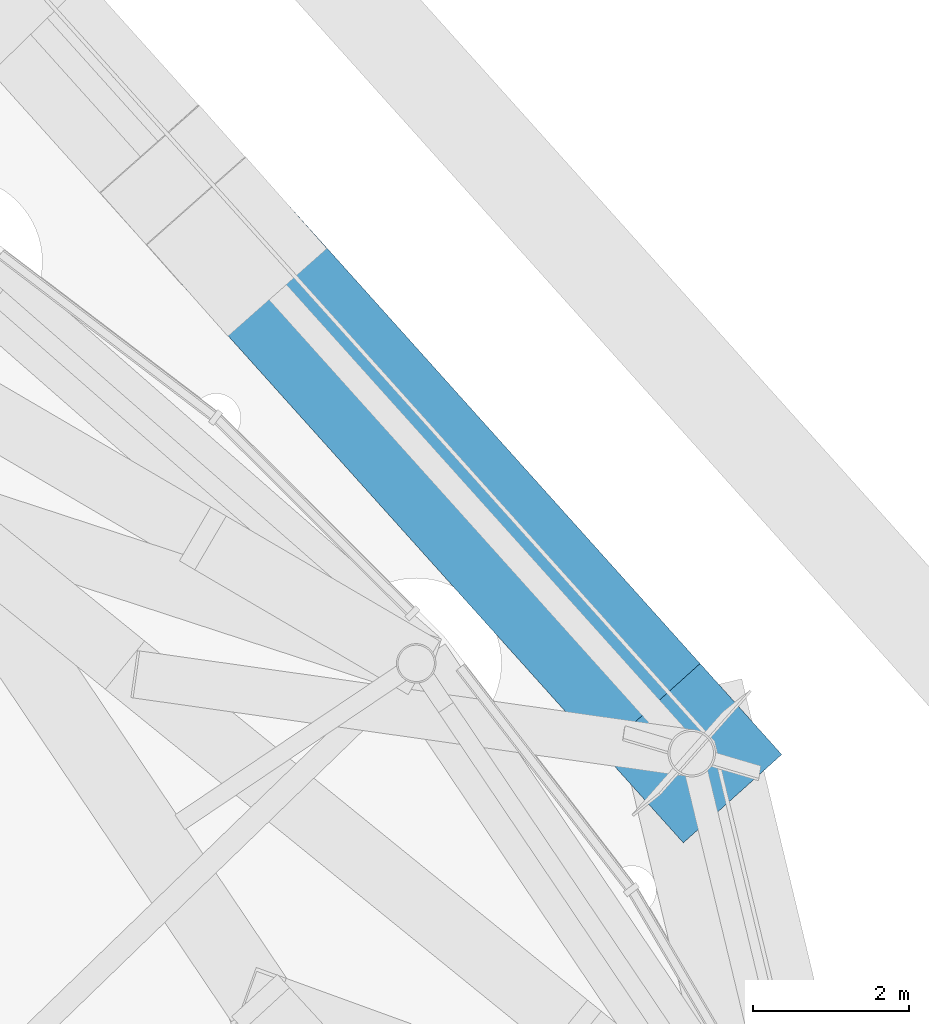
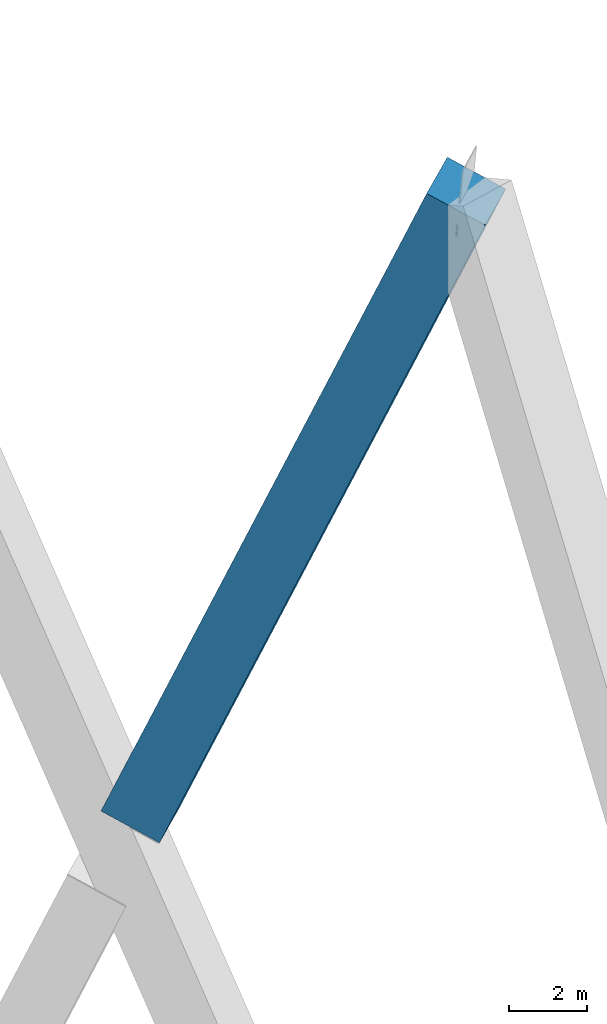
# One storey, part 22 of 51: 1 member.
"""IFC4 building model written with IfcOpenShell, lengths in metres."""

import ifcopenshell
import ifcopenshell.guid

model = None  # the IFC model being written
_history = None  # IfcOwnerHistory: only IFC2X3 demands one
_inside = {}  # id of a spatial element -> (the spatial element, [elements in it])
_under = {}  # id of a project, library or spatial element -> (it, [spatial elements below it])
_declared = {}  # id of a project -> (the project, [libraries it declares])
_typed = {}  # id of a type object -> (the type object, [elements of that type])
_made_of = {}  # id of a material, layer set ... -> (it, [elements and type objects made of it])


def new_model(schema):
    """Start an empty IFC model of exactly this schema.

    Asked for "IFC4X3", IfcOpenShell would pick the latest addendum, in which some entities
    have other attributes; the version numbers below select the first issue.
    IFC2X3 requires an IfcOwnerHistory on every rooted entity: one is made here for all.
    """
    global model, _history
    if schema == "IFC4X3":
        model = ifcopenshell.file(schema_version=(4, 3, 0, 0))
    else:
        model = ifcopenshell.file(schema=schema)
    _inside.clear()
    _under.clear()
    _declared.clear()
    _typed.clear()
    _made_of.clear()
    _history = None
    if model.schema == "IFC2X3":
        org = make("IfcOrganization", Name="unknown")
        user = make(
            "IfcPersonAndOrganization",
            ThePerson=make("IfcPerson", FamilyName="unknown"),
            TheOrganization=org,
        )
        app = make(
            "IfcApplication",
            ApplicationDeveloper=org,
            Version="unknown",
            ApplicationFullName="unknown",
            ApplicationIdentifier="unknown",
        )
        _history = make(
            "IfcOwnerHistory",
            OwningUser=user,
            OwningApplication=app,
            ChangeAction="ADDED",
            CreationDate=0,
        )
    return model


def make(cls, **values):
    """One entity of the class cls with the attributes given. An attribute that is None is left unset."""
    return model.create_entity(
        cls, **{name: value for name, value in values.items() if value is not None}
    )


def rooted(cls, **values):
    """An entity with a GlobalId (a new one), such as an element, a storey or a relation."""
    return make(cls, GlobalId=ifcopenshell.guid.new(), OwnerHistory=_history, **values)


def si_unit(unit_type, name, prefix=None):
    """IfcSIUnit, for example si_unit("LENGTHUNIT", "METRE", prefix="MILLI")."""
    return make("IfcSIUnit", UnitType=unit_type, Prefix=prefix, Name=name)


def assignment(units):
    """IfcUnitAssignment: the units of a project."""
    return None if units is None else make("IfcUnitAssignment", Units=units)


def point(xyz):
    """IfcCartesianPoint."""
    return None if xyz is None else make("IfcCartesianPoint", Coordinates=xyz)


def direction(xyz):
    """IfcDirection."""
    return None if xyz is None else make("IfcDirection", DirectionRatios=xyz)


def frame(location, z_axis=None, x_axis=None):
    """IfcAxis2Placement3D, a coordinate frame: its origin and axes. An axis left out is left unset."""
    return make(
        "IfcAxis2Placement3D",
        Location=point(location),
        Axis=direction(z_axis),
        RefDirection=direction(x_axis),
    )


def frame_2d(location, x_axis=None):
    """IfcAxis2Placement2D, a coordinate frame in the plane: its origin and x axis."""
    return make(
        "IfcAxis2Placement2D", Location=point(location), RefDirection=direction(x_axis)
    )


def origin():
    """The frame at (0, 0, 0) with its axes left unset."""
    return frame((0.0, 0.0, 0.0))


def origin_2d():
    """The frame at (0, 0) in the plane with its x axis left unset."""
    return frame_2d((0.0, 0.0))


def place(relative_to, where):
    """IfcLocalPlacement: puts the frame where relative to a parent placement (None: the world)."""
    return make(
        "IfcLocalPlacement", PlacementRelTo=relative_to, RelativePlacement=where
    )


def context(
    kind, dimensions, precision=None, world=None, true_north=None, identifier=None
):
    """IfcGeometricRepresentationContext, for example the 3D "Model" context."""
    return make(
        "IfcGeometricRepresentationContext",
        ContextIdentifier=identifier,
        ContextType=kind,
        CoordinateSpaceDimension=dimensions,
        Precision=precision,
        WorldCoordinateSystem=world,
        TrueNorth=true_north,
    )


def subcontext(parent, identifier, kind, view, scale=None):
    """IfcGeometricRepresentationSubContext, for example "Body" below "Model"."""
    return make(
        "IfcGeometricRepresentationSubContext",
        ContextIdentifier=identifier,
        ContextType=kind,
        ParentContext=parent,
        TargetScale=scale,
        TargetView=view,
    )


def project(units=None, contexts=None):
    """IfcProject with its units and contexts."""
    return rooted(
        "IfcProject",
        Name="project",
        RepresentationContexts=contexts,
        UnitsInContext=assignment(units),
    )


def spatial(cls, under=None, at=None, **own):
    """A site, building, storey or space (cls), placed at a placement, below another one or the project."""
    s = rooted(cls, ObjectPlacement=at, **own)
    if under is not None:
        _under.setdefault(under.id(), (under, []))[1].append(s)
    return s


def profile(cls, at=None, kind="AREA", **sizes):
    """A parametric profile (cls). Its sizes go by their IFC names, for example OverallWidth=200.0."""
    return make(cls, ProfileType=kind, Position=at, **sizes)


def rectangle(**sizes):
    """IfcRectangleProfileDef."""
    return profile("IfcRectangleProfileDef", **sizes)


def extrude(swept, where, along, depth):
    """IfcExtrudedAreaSolid: the profile swept, set in the frame where, extruded along a direction by depth."""
    return make(
        "IfcExtrudedAreaSolid",
        SweptArea=swept,
        Position=where,
        ExtrudedDirection=direction(along),
        Depth=depth,
    )


def shape(context_of_items, identifier, shape_type, items):
    """IfcShapeRepresentation: the items that make up one representation, for example the "Body"."""
    return make(
        "IfcShapeRepresentation",
        ContextOfItems=context_of_items,
        RepresentationIdentifier=identifier,
        RepresentationType=shape_type,
        Items=items,
    )


def material(Name=None, Category=None):
    """IfcMaterial."""
    return make("IfcMaterial", Name=Name, Category=Category)


def material_profile(
    of_material, cross_section, Name=None, Category=None, Priority=None
):
    """IfcMaterialProfile: a cross section and its material."""
    return make(
        "IfcMaterialProfile",
        Name=Name,
        Material=of_material,
        Profile=cross_section,
        Priority=Priority,
        Category=Category,
    )


def profile_set(profiles, Name=None, composite=None):
    """IfcMaterialProfileSet."""
    return make(
        "IfcMaterialProfileSet",
        Name=Name,
        MaterialProfiles=profiles,
        CompositeProfile=composite,
    )


def made_of(thing, what):
    """Note that an element or type object is made of a material, layer set ...; save() writes the relation."""
    if what is not None:
        _made_of.setdefault(what.id(), (what, []))[1].append(thing)
    return thing


def type_object(cls, material=None, **own):
    """A type object (cls), such as IfcWallType, which elements share."""
    return made_of(rooted(cls, **own), material)


def element(
    cls,
    number,
    at=None,
    inside=None,
    cuts=None,
    type_object=None,
    material=None,
    context=None,
    identifier="Body",
    shape_type=None,
    held_by="IfcProductDefinitionShape",
    body=None,
    shapes=None,
    **own,
):
    """One element of the class cls, such as IfcWall. Its Tag is "e" and its number.

    at: its placement. inside: the storey or other place that contains it. cuts: it is an
    opening in that element (IfcRelVoidsElement). A single representation is given by context,
    identifier, shape_type and body (its items); several are given by shapes. held_by: the class
    of the entity that holds the representations. save() writes the other relations.
    """
    e = rooted(cls, Tag="e%d" % number, ObjectPlacement=at, **own)
    if body is not None:
        shapes = [shape(context, identifier, shape_type, body)]
    if shapes is not None:
        e.Representation = make(held_by, Representations=shapes)
    if inside is not None:
        _inside.setdefault(inside.id(), (inside, []))[1].append(e)
    if cuts is not None:
        rooted(
            "IfcRelVoidsElement", RelatingBuildingElement=cuts, RelatedOpeningElement=e
        )
    if type_object is not None:
        _typed.setdefault(type_object.id(), (type_object, []))[1].append(e)
    return made_of(e, material)


def aggregate(whole, parts):
    """IfcRelAggregates: a whole, such as a stair, and the parts it consists of."""
    return rooted("IfcRelAggregates", RelatingObject=whole, RelatedObjects=parts)


def save(model, path):
    """Write the relations noted so far, then the file.

    IfcRelAggregates (storeys below a building ...), IfcRelContainedInSpatialStructure (elements
    in a storey), IfcRelDefinesByType, IfcRelAssociatesMaterial and IfcRelDeclares: one each for
    every whole, place, type object, material and project.
    """
    for whole, parts in _under.values():
        aggregate(whole, parts)
    for where, things in _inside.values():
        rooted(
            "IfcRelContainedInSpatialStructure",
            RelatedElements=things,
            RelatingStructure=where,
        )
    for kind, things in _typed.values():
        rooted("IfcRelDefinesByType", RelatedObjects=things, RelatingType=kind)
    for what, things in _made_of.values():
        rooted("IfcRelAssociatesMaterial", RelatedObjects=things, RelatingMaterial=what)
    for by, libraries in _declared.values():
        rooted("IfcRelDeclares", RelatingContext=by, RelatedDefinitions=libraries)
    model.write(path)


model = new_model("IFC4")

# Units and contexts
model_context = context("Model", 3, precision=1e-05, world=origin(), true_north=direction((0.0, 1.0)))
body_context = subcontext(model_context, "Body", "Model", "MODEL_VIEW")
ifc_project = project(units=[si_unit("LENGTHUNIT", "METRE"), si_unit("AREAUNIT", "SQUARE_METRE"), si_unit("VOLUMEUNIT", "CUBIC_METRE"), si_unit("PLANEANGLEUNIT", "RADIAN"), si_unit("MASSUNIT", "GRAM", prefix="KILO")], contexts=[model_context])

# Site, building, storey
site_placement = place(None, origin())
site = spatial("IfcSite", under=ifc_project, at=site_placement, CompositionType="ELEMENT")
building_placement = place(site_placement, origin())
building = spatial("IfcBuilding", under=site, at=building_placement, Name="Nagisa Residences", CompositionType="ELEMENT")
storey_placement = place(building_placement, frame((0.0, 0.0, 67.699951171875)))
storey = spatial("IfcBuildingStorey", under=building, at=storey_placement, Name="L16", CompositionType="ELEMENT", Elevation=67.699951171875)

# Member
ifc_material = material(Name="Concrete C80", Category="concrete")
ifc_material_profile = material_profile(ifc_material, rectangle(XDim=1.699951171875, YDim=1.699951171875, at=origin_2d()), Name="C80 1700x1700")
ifc_profile_set = profile_set([ifc_material_profile], Name="Concrete C80")
member_type = type_object("IfcMemberType", Name="Cage diagonal 2 C80 1700x1700", PredefinedType="BRACE", material=ifc_profile_set)
member_placement = place(storey_placement, frame((21.447998046875, 28.336181640625, 27.04345703125), z_axis=(0.255351092109, -0.284388134781, 0.924077490557), x_axis=(0.744071921623, 0.668099525111, 0.0)))
element("IfcMember", 1, at=member_placement, inside=storey, type_object=member_type, Name="mem:L16:cg2d004b", PredefinedType="BRACE", context=body_context, shape_type="SweptSolid", body=[
    extrude(rectangle(XDim=1.699951171875, YDim=1.699951171875, at=origin_2d()), origin(), (0.0, 0.0, 1.0), 22.894775390625),
])

save(model, "model.ifc")
